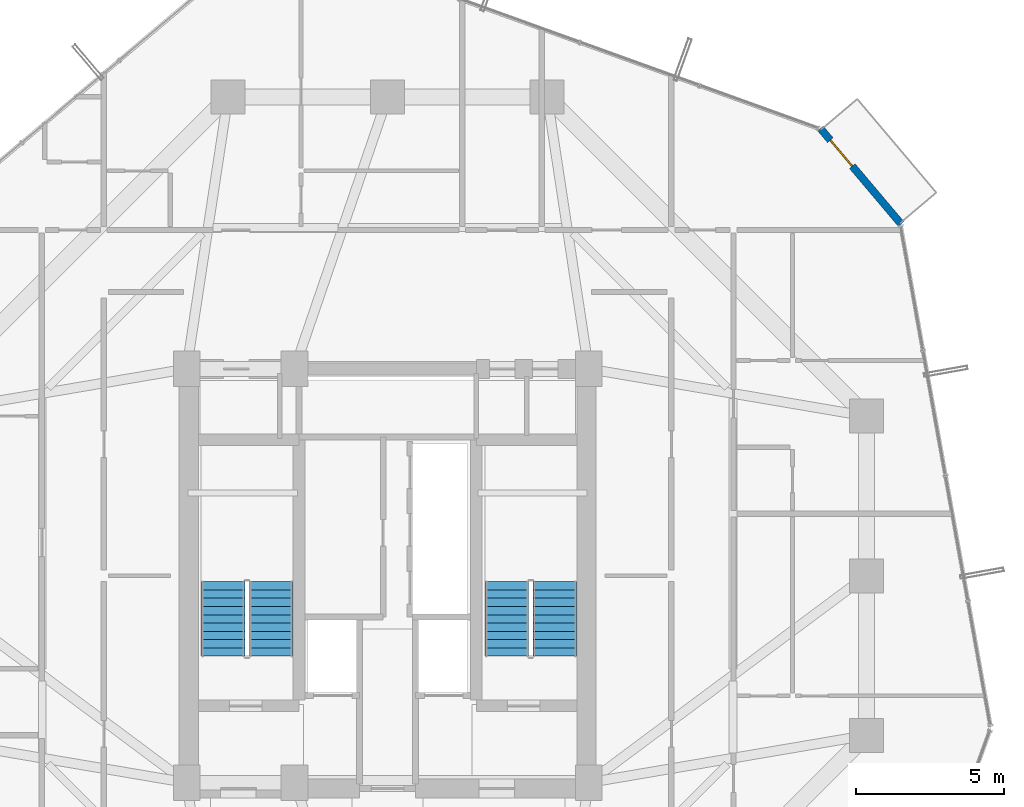
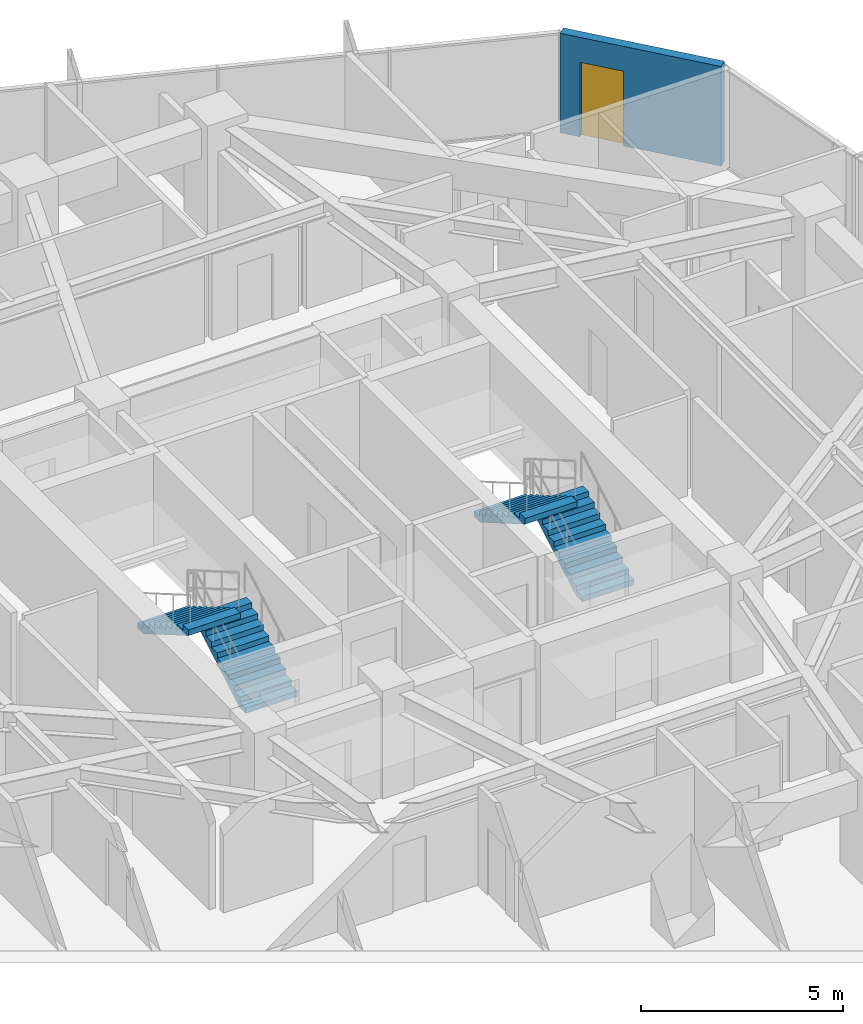
# One storey, part 34 of 36: 4 stair flights, 1 door, 1 wall, 1 opening, 2 elements without a shape of their own.
"""IFC4 building model written with IfcOpenShell, lengths in metres."""

from ifc_helpers import new_model, si_unit, direction, frame, frame_2d, origin, place, context, subcontext, project, spatial, polyline, rectangle, outline, extrude, source, transform, mapped, material, layer, layer_set, type_object, element, fill, aggregate, save


model = new_model("IFC4")

# Units and contexts
model_context = context("Model", 3, precision=1e-05, world=origin(), true_north=direction((0.0, 1.0)))
body_context = subcontext(model_context, "Body", "Model", "MODEL_VIEW")
ifc_project = project(units=[si_unit("LENGTHUNIT", "METRE"), si_unit("AREAUNIT", "SQUARE_METRE"), si_unit("VOLUMEUNIT", "CUBIC_METRE"), si_unit("PLANEANGLEUNIT", "RADIAN"), si_unit("MASSUNIT", "GRAM", prefix="KILO")], contexts=[model_context])

# Site, building, storey
site_placement = place(None, origin())
site = spatial("IfcSite", under=ifc_project, at=site_placement, CompositionType="ELEMENT")
building_placement = place(site_placement, origin())
building = spatial("IfcBuilding", under=site, at=building_placement, Name="Veraguas Prism Commons", CompositionType="ELEMENT")
storey_placement = place(building_placement, frame((0.0, 0.0, 163.050048828125)))
storey = spatial("IfcBuildingStorey", under=building, at=storey_placement, Name="L46", CompositionType="ELEMENT", Elevation=163.050048828125)

# Wall, opening, door
ifc_material_1 = material(Name="Precast concrete C40/50", Category="concrete")
ifc_layer = layer(ifc_material_1, 0.25, Name="External Loggia and Portal Wall 250", Category="concrete")
ifc_layer_set = layer_set([ifc_layer], Name="Precast concrete C40/50")
wall_type = type_object("IfcWallType", Name="External Loggia and Portal Wall 250", PredefinedType="SOLIDWALL", material=ifc_layer_set)
wall_placement = place(storey_placement, frame((41.372802734375, 35.900390625, 0.0), z_axis=(0.0, 0.0, 1.0), x_axis=(-0.645202514013, 0.764011594095, 0.0)))
wall = element("IfcWall", 1, at=wall_placement, inside=storey, type_object=wall_type, Name="Corner Loggia Wall L46-C1", PredefinedType="SOLIDWALL", context=body_context, shape_type="SweptSolid", body=[
    extrude(rectangle(XDim=4.233154296875, YDim=0.25, at=frame_2d((2.11669921875, 0.0))), origin(), (0.0, 0.0, 1.0), 3.0),
])
opening_placement = place(wall_placement, frame((2.56005859375, 0.0, 0.0)))
opening = element("IfcOpeningElement", 2, at=opening_placement, cuts=wall, Name="Opening DR-10", PredefinedType="OPENING", context=body_context, shape_type="SweptSolid", body=[
    extrude(rectangle(XDim=1.14990234375, YDim=2.25, at=frame_2d((0.574951171875, 1.125))), frame((0.0, 0.135009765625, 0.0), z_axis=(0.0, -1.0, 0.0), x_axis=(1.0, 0.0, 0.0)), (0.0, 0.0, 1.0), 0.27001953125),
])
ifc_material_2 = material(Name="Anodised aluminium EN AW-6063 T6", Category="aluminium")
door_type = type_object("IfcDoorType", Name="Glazed Loggia and Terrace Door 1150x2250", OperationType="NOTDEFINED", PredefinedType="DOOR", material=ifc_material_2)
shared_shape = source(origin(), body_context, "Body", "SweptSolid", [
    extrude(rectangle(XDim=1.14990234375, YDim=2.25, at=frame_2d((0.574951171875, 1.125))), frame((0.0, 0.02490234375, 0.0), z_axis=(0.0, -1.0, 0.0), x_axis=(1.0, 0.0, 0.0)), (0.0, 0.0, 1.0), 0.050048828125),
])
door_placement = place(opening_placement, frame((1.14990234375, 0.0, 0.0), z_axis=(0.0, 0.0, 1.0), x_axis=(-1.0, 0.0, 0.0)))
door = element("IfcDoor", 3, at=door_placement, inside=storey, type_object=door_type, Name="Recessed Loggia Door L46-C1", OperationType="SINGLE_SWING_RIGHT", OverallHeight=2.25, OverallWidth=1.14990234375, PredefinedType="DOOR", context=body_context, shape_type="MappedRepresentation", body=[
    mapped(shared_shape, transform((0.0, 0.0, 0.0), scale=1.0)),
])
fill(opening, door)

# Stair, stair flights
ifc_material_3 = material(Name="Precast concrete C45/55", Category="concrete")
stair_type = type_object("IfcStairType", Name="Dogleg Core Stair 1480W 20R 05", PredefinedType="HALF_TURN_STAIR", material=ifc_material_3)
stair_1_placement = place(storey_placement, origin())
stair_1 = element("IfcStair", 4, at=stair_1_placement, inside=storey, type_object=stair_type, Name="Protected Exit Stair ST-01 L46", PredefinedType="HALF_TURN_STAIR")
stair_flight_type = type_object("IfcStairFlightType", Name="Precast Stair Flight 1480W 10R 05", PredefinedType="STRAIGHT", material=ifc_material_3)
stair_flight_1_placement = place(storey_placement, frame((20.06005859375, 21.280029296875, 0.0), z_axis=(0.0, 0.0, 1.0), x_axis=(0.0, 1.0, 0.0)))
stair_flight_1 = element("IfcStairFlight", 5, at=stair_flight_1_placement, type_object=stair_flight_type, Name="ST-05 Flight 1", NumberOfRisers=10, NumberOfTreads=9, PredefinedType="STRAIGHT", RiserHeight=0.1625, TreadLength=0.28, context=body_context, shape_type="SweptSolid", body=[
    extrude(outline(polyline([(0.0, 0.0), (0.0, 0.16259765625), (0.280029296875, 0.16259765625), (0.280029296875, 0.324951171875), (0.56005859375, 0.324951171875), (0.56005859375, 0.487548828125), (0.840087890625, 0.487548828125), (0.840087890625, 0.64990234375), (1.1201171875, 0.64990234375), (1.1201171875, 0.8125), (1.39990234375, 0.8125), (1.39990234375, 0.97509765625), (1.679931640625, 0.97509765625), (1.679931640625, 1.137451171875), (1.9599609375, 1.137451171875), (1.9599609375, 1.300048828125), (2.239990234375, 1.300048828125), (2.239990234375, 1.46240234375), (2.52001953125, 1.46240234375), (2.52001953125, 1.625), (2.52001953125, 1.2890625), (0.298583984375, 0.0), (0.0, 0.0)])), frame((0.0, 0.739990234375, 0.0), z_axis=(0.0, -1.0, 0.0), x_axis=(1.0, 0.0, 0.0)), (0.0, 0.0, 1.0), 1.47998046875),
])
stair_flight_2_placement = place(storey_placement, frame((18.429931640625, 23.800048828125, 1.625), z_axis=(0.0, 0.0, 1.0), x_axis=(0.0, -1.0, 0.0)))
stair_flight_2 = element("IfcStairFlight", 6, at=stair_flight_2_placement, type_object=stair_flight_type, Name="ST-05 Flight 2", NumberOfRisers=10, NumberOfTreads=9, PredefinedType="STRAIGHT", RiserHeight=0.1625, TreadLength=0.28, context=body_context, shape_type="SweptSolid", body=[
    extrude(outline(polyline([(0.0, 0.0), (0.0, 0.16259765625), (0.280029296875, 0.16259765625), (0.280029296875, 0.324951171875), (0.56005859375, 0.324951171875), (0.56005859375, 0.487548828125), (0.840087890625, 0.487548828125), (0.840087890625, 0.64990234375), (1.1201171875, 0.64990234375), (1.1201171875, 0.8125), (1.39990234375, 0.8125), (1.39990234375, 0.97509765625), (1.679931640625, 0.97509765625), (1.679931640625, 1.137451171875), (1.9599609375, 1.137451171875), (1.9599609375, 1.300048828125), (2.239990234375, 1.300048828125), (2.239990234375, 1.46240234375), (2.52001953125, 1.46240234375), (2.52001953125, 1.625), (2.52001953125, 1.2890625), (0.298583984375, 0.0), (0.0, 0.0)])), frame((0.0, 0.739990234375, 0.0), z_axis=(0.0, -1.0, 0.0), x_axis=(1.0, 0.0, 0.0)), (0.0, 0.0, 1.0), 1.47998046875),
])
aggregate(stair_1, [stair_flight_1, stair_flight_2])

stair_2_placement = place(storey_placement, origin())
stair_2 = element("IfcStair", 7, at=stair_2_placement, inside=storey, type_object=stair_type, Name="Protected Exit Stair ST-02 L46", PredefinedType="HALF_TURN_STAIR")
stair_flight_3_placement = place(storey_placement, frame((29.659912109375, 21.280029296875, 0.0), z_axis=(0.0, 0.0, 1.0), x_axis=(0.0, 1.0, 0.0)))
stair_flight_3 = element("IfcStairFlight", 8, at=stair_flight_3_placement, type_object=stair_flight_type, Name="ST-05 Flight 1", NumberOfRisers=10, NumberOfTreads=9, PredefinedType="STRAIGHT", RiserHeight=0.1625, TreadLength=0.28, context=body_context, shape_type="SweptSolid", body=[
    extrude(outline(polyline([(0.0, 0.0), (0.0, 0.16259765625), (0.280029296875, 0.16259765625), (0.280029296875, 0.324951171875), (0.56005859375, 0.324951171875), (0.56005859375, 0.487548828125), (0.840087890625, 0.487548828125), (0.840087890625, 0.64990234375), (1.1201171875, 0.64990234375), (1.1201171875, 0.8125), (1.39990234375, 0.8125), (1.39990234375, 0.97509765625), (1.679931640625, 0.97509765625), (1.679931640625, 1.137451171875), (1.9599609375, 1.137451171875), (1.9599609375, 1.300048828125), (2.239990234375, 1.300048828125), (2.239990234375, 1.46240234375), (2.52001953125, 1.46240234375), (2.52001953125, 1.625), (2.52001953125, 1.2890625), (0.298583984375, 0.0), (0.0, 0.0)])), frame((0.0, 0.739990234375, 0.0), z_axis=(0.0, -1.0, 0.0), x_axis=(1.0, 0.0, 0.0)), (0.0, 0.0, 1.0), 1.47998046875),
])
stair_flight_4_placement = place(storey_placement, frame((28.030029296875, 23.800048828125, 1.625), z_axis=(0.0, 0.0, 1.0), x_axis=(0.0, -1.0, 0.0)))
stair_flight_4 = element("IfcStairFlight", 9, at=stair_flight_4_placement, type_object=stair_flight_type, Name="ST-05 Flight 2", NumberOfRisers=10, NumberOfTreads=9, PredefinedType="STRAIGHT", RiserHeight=0.1625, TreadLength=0.28, context=body_context, shape_type="SweptSolid", body=[
    extrude(outline(polyline([(0.0, 0.0), (0.0, 0.16259765625), (0.280029296875, 0.16259765625), (0.280029296875, 0.324951171875), (0.56005859375, 0.324951171875), (0.56005859375, 0.487548828125), (0.840087890625, 0.487548828125), (0.840087890625, 0.64990234375), (1.1201171875, 0.64990234375), (1.1201171875, 0.8125), (1.39990234375, 0.8125), (1.39990234375, 0.97509765625), (1.679931640625, 0.97509765625), (1.679931640625, 1.137451171875), (1.9599609375, 1.137451171875), (1.9599609375, 1.300048828125), (2.239990234375, 1.300048828125), (2.239990234375, 1.46240234375), (2.52001953125, 1.46240234375), (2.52001953125, 1.625), (2.52001953125, 1.2890625), (0.298583984375, 0.0), (0.0, 0.0)])), frame((0.0, 0.739990234375, 0.0), z_axis=(0.0, -1.0, 0.0), x_axis=(1.0, 0.0, 0.0)), (0.0, 0.0, 1.0), 1.47998046875),
])
aggregate(stair_2, [stair_flight_3, stair_flight_4])

save(model, "model.ifc")
